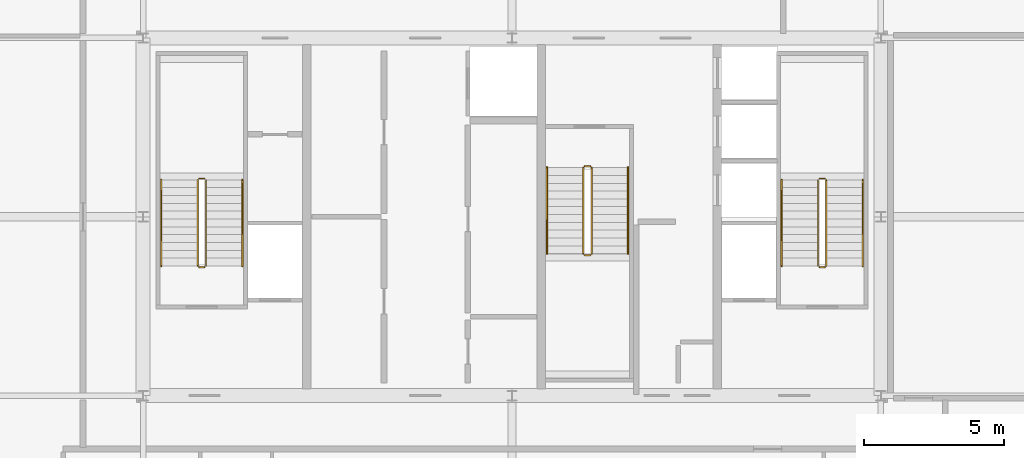
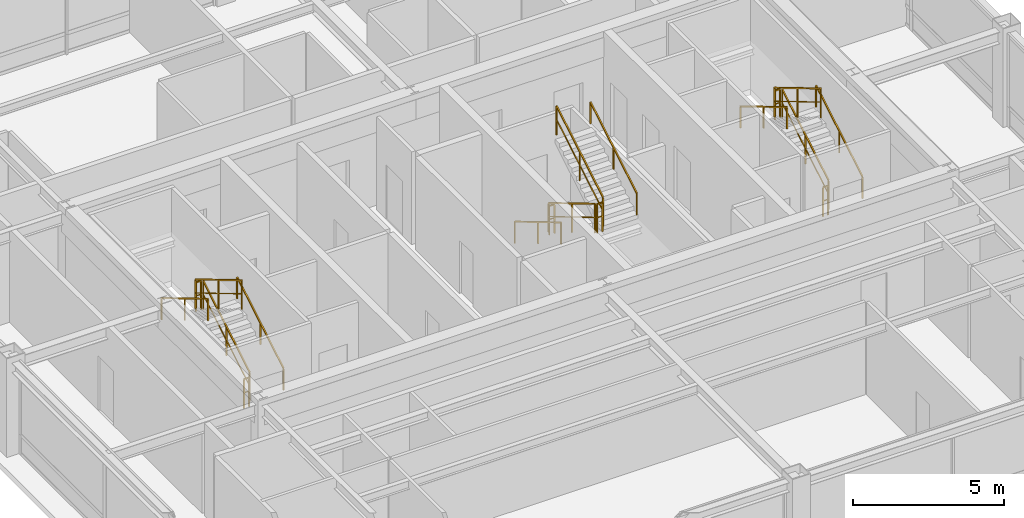
# One storey, part 34 of 34: 18 railings.
"""IFC4 building model written with IfcOpenShell, lengths in metres."""

from ifc_helpers import new_model, si_unit, direction, frame, origin, origin_2d, place, context, subcontext, project, spatial, rectangle, extrude, source, transform, mapped, material, layer, layer_set, type_object, element, save


model = new_model("IFC4")

# Units and contexts
model_context = context("Model", 3, precision=1e-05, world=origin(), true_north=direction((0.0, 1.0)))
body_context = subcontext(model_context, "Body", "Model", "MODEL_VIEW")
ifc_project = project(units=[si_unit("LENGTHUNIT", "METRE"), si_unit("AREAUNIT", "SQUARE_METRE"), si_unit("VOLUMEUNIT", "CUBIC_METRE"), si_unit("PLANEANGLEUNIT", "RADIAN"), si_unit("MASSUNIT", "GRAM", prefix="KILO"), si_unit("THERMODYNAMICTEMPERATUREUNIT", "KELVIN"), si_unit("POWERUNIT", "WATT")], contexts=[model_context])

# Site, building, storey
site_placement = place(None, origin())
site = spatial("IfcSite", under=ifc_project, at=site_placement, CompositionType="ELEMENT")
building_placement = place(site_placement, origin())
building = spatial("IfcBuilding", under=site, at=building_placement, Name="Yuzanri Waterfront Tower", CompositionType="ELEMENT")
storey_placement = place(building_placement, frame((0.0, 0.0, 339.199951171875)))
storey = spatial("IfcBuildingStorey", under=building, at=storey_placement, Name="L91", CompositionType="ELEMENT", Elevation=339.199951171875)

# Railings
ifc_material_1 = material(Name="Painted Galvanized Fire Steel", Category="steel")
ifc_layer_1 = layer(ifc_material_1, 0.06005859375)
ifc_layer_set_1 = layer_set([ifc_layer_1], Name="Painted Galvanized Fire Steel")
railing_type_1 = type_object("IfcRailingType", Name="Painted Steel Stairwell Guardrail 1120", PredefinedType="GUARDRAIL", material=ifc_layer_set_1)
shared_shape_1 = source(origin(), body_context, "Body", "SweptSolid", [
    extrude(rectangle(XDim=0.050048828125, YDim=0.050048828125, at=origin_2d()), frame((0.0, 0.0, 1.1748046875), z_axis=(-1.0, 0.0, 0.0), x_axis=(0.0, -1.0, 0.0)), (0.0, 0.0, 1.0), 0.199951171875),
    extrude(rectangle(XDim=0.035888671875, YDim=0.030029296875, at=origin_2d()), frame((0.0, 0.0, 0.6240234375), z_axis=(-1.0, 0.0, 0.0), x_axis=(0.0, -1.0, 0.0)), (0.0, 0.0, 1.0), 0.199951171875),
    extrude(rectangle(XDim=0.0458984375, YDim=0.0458984375, at=origin_2d()), origin(), (0.0, 0.0, 1.0), 1.14990234375),
    extrude(rectangle(XDim=0.0458984375, YDim=0.0458984375, at=origin_2d()), frame((-0.199951171875, 0.0, 0.0)), (0.0, 0.0, 1.0), 1.14990234375),
])
for number, where, name in (
    (1, (26.0, 27.169921875, 2.0), "L91 ST-01 stair guard 2"),
    (2, (26.0, 23.989990234375, 0.0), "L91 ST-01 stair guard 4"),
    (3, (48.199951171875, 27.169921875, 2.0), "L91 ST-02 stair guard 2"),
    (4, (48.199951171875, 23.989990234375, 0.0), "L91 ST-02 stair guard 4"),
):
    element("IfcRailing", number, at=place(storey_placement, frame(where)), inside=storey, type_object=railing_type_1, Name=name, PredefinedType="GUARDRAIL", context=body_context, shape_type="MappedRepresentation", body=[
        mapped(shared_shape_1, transform((0.0, 0.0, 0.0), scale=1.0)),
    ])
shared_shape_2 = source(origin(), body_context, "Body", "SweptSolid", [
    extrude(rectangle(XDim=0.050048828125, YDim=0.050048828125, at=origin_2d()), frame((0.0, 0.0, 1.1748046875), z_axis=(0.0, 0.859308565015, 0.511457515432), x_axis=(-1.0, 0.0, 0.0)), (0.0, 0.0, 1.0), 3.58447265625),
    extrude(rectangle(XDim=0.035888671875, YDim=0.030029296875, at=origin_2d()), frame((0.0, 0.0, 0.6240234375), z_axis=(0.0, 0.859308565015, 0.511457515432), x_axis=(-1.0, 0.0, 0.0)), (0.0, 0.0, 1.0), 3.58447265625),
    extrude(rectangle(XDim=0.0458984375, YDim=0.0458984375, at=origin_2d()), origin(), (0.0, 0.0, 1.0), 1.14990234375),
    extrude(rectangle(XDim=0.0458984375, YDim=0.0458984375, at=origin_2d()), frame((0.0, 1.5400390625, 0.91650390625)), (0.0, 0.0, 1.0), 1.14990234375),
    extrude(rectangle(XDim=0.0458984375, YDim=0.0458984375, at=origin_2d()), frame((0.0, 3.080078125, 1.833251953125)), (0.0, 0.0, 1.0), 1.14990234375),
])
for number, where, name in (
    (5, (26.050048828125, 24.0400390625, 0.166748046875), "L91 ST-01 stair guard 1"),
    (6, (48.25, 24.0400390625, 0.166748046875), "L91 ST-02 stair guard 1"),
    (7, (39.85009765625, 24.47998046875, 2.166748046875), "L91 ST-03 stair guard 3"),
):
    element("IfcRailing", number, at=place(storey_placement, frame(where)), inside=storey, type_object=railing_type_1, Name=name, PredefinedType="GUARDRAIL", context=body_context, shape_type="MappedRepresentation", body=[
        mapped(shared_shape_2, transform((0.0, 0.0, 0.0), scale=1.0)),
    ])
shared_shape_3 = source(origin(), body_context, "Body", "SweptSolid", [
    extrude(rectangle(XDim=0.050048828125, YDim=0.050048828125, at=origin_2d()), frame((0.0, 0.0, 1.1748046875), z_axis=(0.0, -0.859308565015, 0.511457515432), x_axis=(1.0, 0.0, 0.0)), (0.0, 0.0, 1.0), 3.58447265625),
    extrude(rectangle(XDim=0.035888671875, YDim=0.030029296875, at=origin_2d()), frame((0.0, 0.0, 0.6240234375), z_axis=(0.0, -0.859308565015, 0.511457515432), x_axis=(1.0, 0.0, 0.0)), (0.0, 0.0, 1.0), 3.58447265625),
    extrude(rectangle(XDim=0.0458984375, YDim=0.0458984375, at=origin_2d()), origin(), (0.0, 0.0, 1.0), 1.14990234375),
    extrude(rectangle(XDim=0.0458984375, YDim=0.0458984375, at=origin_2d()), frame((0.0, -1.5400390625, 0.91650390625)), (0.0, 0.0, 1.0), 1.14990234375),
    extrude(rectangle(XDim=0.0458984375, YDim=0.0458984375, at=origin_2d()), frame((0.0, -3.080078125, 1.833251953125)), (0.0, 0.0, 1.0), 1.14990234375),
])
for number, where, name in (
    (8, (25.75, 27.1201171875, 2.166748046875), "L91 ST-01 stair guard 3"),
    (9, (47.949951171875, 27.1201171875, 2.166748046875), "L91 ST-02 stair guard 3"),
    (10, (39.550048828125, 27.56005859375, 0.166748046875), "L91 ST-03 stair guard 1"),
):
    element("IfcRailing", number, at=place(storey_placement, frame(where)), inside=storey, type_object=railing_type_1, Name=name, PredefinedType="GUARDRAIL", context=body_context, shape_type="MappedRepresentation", body=[
        mapped(shared_shape_3, transform((0.0, 0.0, 0.0), scale=1.0)),
    ])
ifc_material_2 = material(Name="Anodized Architectural Bronze", Category="metal")
ifc_layer_2 = layer(ifc_material_2, 0.050048828125)
ifc_layer_set_2 = layer_set([ifc_layer_2], Name="Anodized Architectural Bronze")
railing_type_2 = type_object("IfcRailingType", Name="Brushed Bronze Stair Pitch Handrail 920", PredefinedType="HANDRAIL", material=ifc_layer_set_2)
shared_shape_4 = source(origin(), body_context, "Body", "SweptSolid", [
    extrude(rectangle(XDim=0.050048828125, YDim=0.050048828125, at=origin_2d()), frame((0.0, 0.0, 0.875), z_axis=(0.0, 0.859308565015, 0.511457515432), x_axis=(-1.0, 0.0, 0.0)), (0.0, 0.0, 1.0), 3.58447265625),
    extrude(rectangle(XDim=0.0458984375, YDim=0.0458984375, at=origin_2d()), origin(), (0.0, 0.0, 1.0), 0.849853515625),
    extrude(rectangle(XDim=0.0458984375, YDim=0.0458984375, at=origin_2d()), frame((0.0, 1.5400390625, 0.91650390625)), (0.0, 0.0, 1.0), 0.849853515625),
    extrude(rectangle(XDim=0.0458984375, YDim=0.0458984375, at=origin_2d()), frame((0.0, 3.080078125, 1.833251953125)), (0.0, 0.0, 1.0), 0.849853515625),
])
for number, where, name in (
    (11, (27.35009765625, 24.0400390625, 0.166748046875), "L91 ST-01 stair handrail 1"),
    (12, (49.550048828125, 24.0400390625, 0.166748046875), "L91 ST-02 stair handrail 1"),
    (13, (41.14990234375, 24.47998046875, 2.166748046875), "L91 ST-03 stair handrail 2"),
):
    element("IfcRailing", number, at=place(storey_placement, frame(where)), inside=storey, type_object=railing_type_2, Name=name, PredefinedType="HANDRAIL", context=body_context, shape_type="MappedRepresentation", body=[
        mapped(shared_shape_4, transform((0.0, 0.0, 0.0), scale=1.0)),
    ])
shared_shape_5 = source(origin(), body_context, "Body", "SweptSolid", [
    extrude(rectangle(XDim=0.050048828125, YDim=0.050048828125, at=origin_2d()), frame((0.0, 0.0, 0.875), z_axis=(0.0, -0.859308565015, 0.511457515432), x_axis=(1.0, 0.0, 0.0)), (0.0, 0.0, 1.0), 3.58447265625),
    extrude(rectangle(XDim=0.0458984375, YDim=0.0458984375, at=origin_2d()), origin(), (0.0, 0.0, 1.0), 0.849853515625),
    extrude(rectangle(XDim=0.0458984375, YDim=0.0458984375, at=origin_2d()), frame((0.0, -1.5400390625, 0.91650390625)), (0.0, 0.0, 1.0), 0.849853515625),
    extrude(rectangle(XDim=0.0458984375, YDim=0.0458984375, at=origin_2d()), frame((0.0, -3.080078125, 1.833251953125)), (0.0, 0.0, 1.0), 0.849853515625),
])
for number, where, name in (
    (14, (24.449951171875, 27.1201171875, 2.166748046875), "L91 ST-01 stair handrail 2"),
    (15, (46.64990234375, 27.1201171875, 2.166748046875), "L91 ST-02 stair handrail 2"),
    (16, (38.25, 27.56005859375, 0.166748046875), "L91 ST-03 stair handrail 1"),
):
    element("IfcRailing", number, at=place(storey_placement, frame(where)), inside=storey, type_object=railing_type_2, Name=name, PredefinedType="HANDRAIL", context=body_context, shape_type="MappedRepresentation", body=[
        mapped(shared_shape_5, transform((0.0, 0.0, 0.0), scale=1.0)),
    ])
shared_shape_6 = source(origin(), body_context, "Body", "SweptSolid", [
    extrude(rectangle(XDim=0.050048828125, YDim=0.050048828125, at=origin_2d()), frame((0.0, 0.0, 1.1748046875), z_axis=(1.0, 0.0, 0.0), x_axis=(0.0, 1.0, 0.0)), (0.0, 0.0, 1.0), 0.199951171875),
    extrude(rectangle(XDim=0.035888671875, YDim=0.030029296875, at=origin_2d()), frame((0.0, 0.0, 0.6240234375), z_axis=(1.0, 0.0, 0.0), x_axis=(0.0, 1.0, 0.0)), (0.0, 0.0, 1.0), 0.199951171875),
    extrude(rectangle(XDim=0.0458984375, YDim=0.0458984375, at=origin_2d()), origin(), (0.0, 0.0, 1.0), 1.14990234375),
    extrude(rectangle(XDim=0.0458984375, YDim=0.0458984375, at=origin_2d()), frame((0.199951171875, 0.0, 0.0)), (0.0, 0.0, 1.0), 1.14990234375),
])
for number, where, name in (
    (17, (39.60009765625, 24.429931640625, 2.0), "L91 ST-03 stair guard 2"),
    (18, (39.60009765625, 27.610107421875, 0.0), "L91 ST-03 stair guard 4"),
):
    element("IfcRailing", number, at=place(storey_placement, frame(where)), inside=storey, type_object=railing_type_1, Name=name, PredefinedType="GUARDRAIL", context=body_context, shape_type="MappedRepresentation", body=[
        mapped(shared_shape_6, transform((0.0, 0.0, 0.0), scale=1.0)),
    ])

save(model, "model.ifc")
